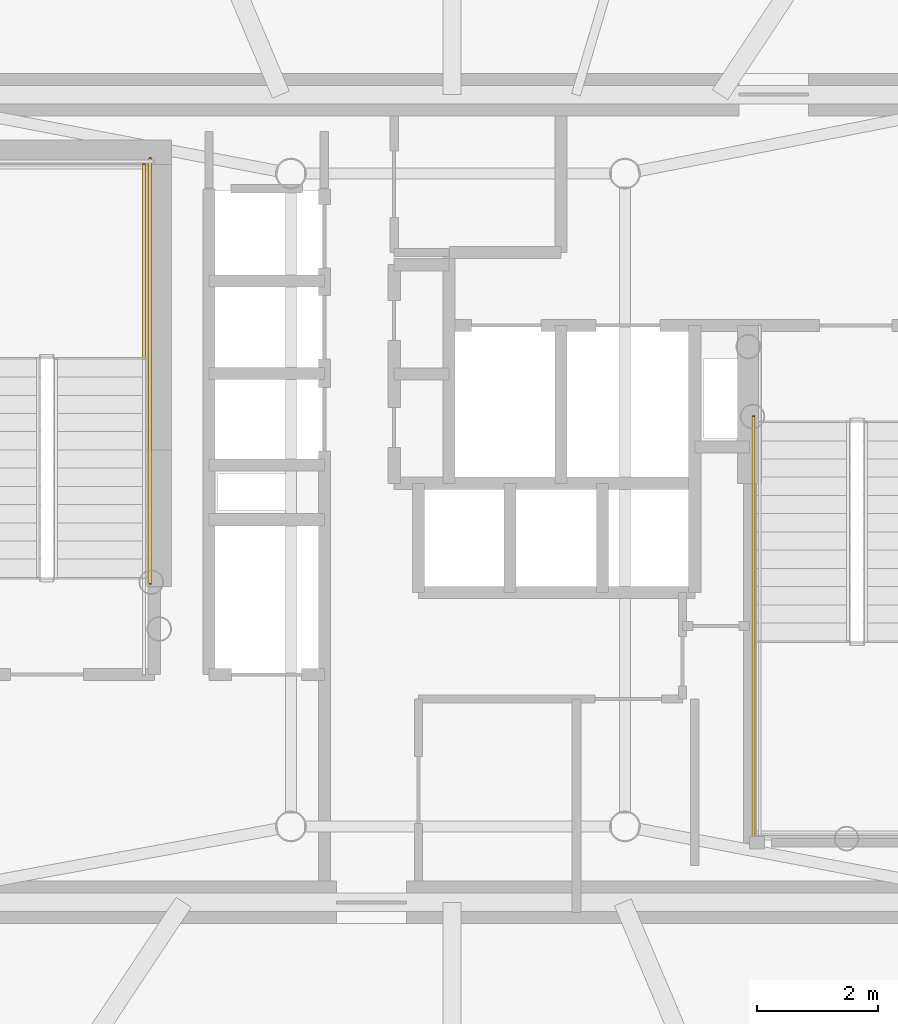
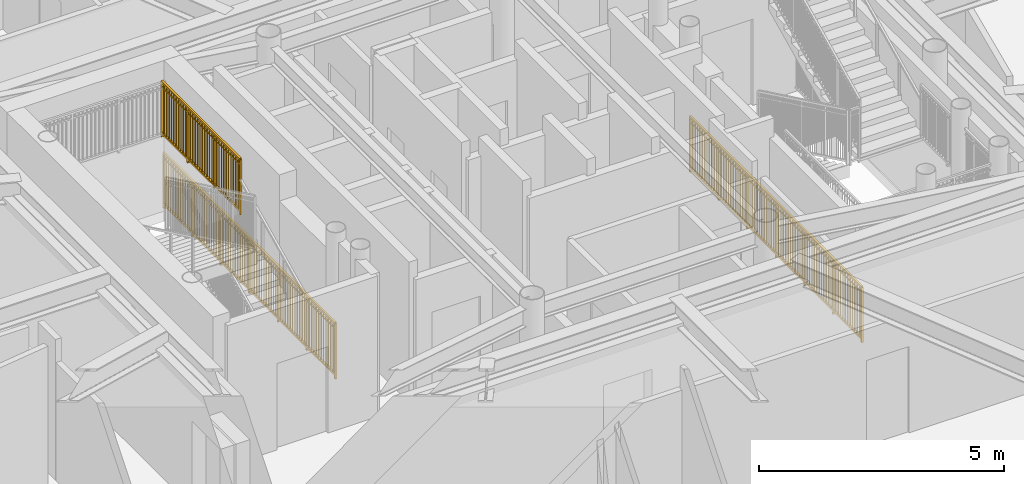
# One storey, part 16 of 19: 3 railings.
"""IFC4 building model written with IfcOpenShell, lengths in metres."""

from ifc_helpers import new_model, si_unit, direction, frame, origin, origin_2d, place, context, subcontext, project, spatial, rectangle, extrude, source, transform, mapped, material, type_object, element, save


model = new_model("IFC4")

# Units and contexts
model_context = context("Model", 3, precision=1e-05, world=origin(), true_north=direction((0.0, 1.0)))
body_context = subcontext(model_context, "Body", "Model", "MODEL_VIEW")
ifc_project = project(units=[si_unit("LENGTHUNIT", "METRE"), si_unit("AREAUNIT", "SQUARE_METRE"), si_unit("VOLUMEUNIT", "CUBIC_METRE"), si_unit("PLANEANGLEUNIT", "RADIAN"), si_unit("MASSUNIT", "GRAM", prefix="KILO")], contexts=[model_context])

# Site, building, storey
site_placement = place(None, origin())
site = spatial("IfcSite", under=ifc_project, at=site_placement, CompositionType="ELEMENT")
building_placement = place(site_placement, origin())
building = spatial("IfcBuilding", under=site, at=building_placement, Name="Linh Dai School and Residence Tower", CompositionType="ELEMENT")
storey_placement = place(building_placement, frame((0.0, 0.0, 236.550048828125)))
storey = spatial("IfcBuildingStorey", under=building, at=storey_placement, Name="L58", CompositionType="ELEMENT", Elevation=236.550048828125)

# Railings
ifc_material = material(Name="Structural Steel S355JR", Category="steel")
railing_type = type_object("IfcRailingType", Name="RL-ST-GUARD-1400", PredefinedType="GUARDRAIL", material=ifc_material)
shared_shape_1 = source(origin(), body_context, "Body", "SweptSolid", [
    extrude(rectangle(XDim=0.048095703125, YDim=0.048095703125, at=origin_2d()), frame((0.0, 0.0, 1.3759765625), z_axis=(0.0, 1.0, 0.0), x_axis=(-1.0, 0.0, 0.0)), (0.0, 0.0, 1.0), 7.0),
    extrude(rectangle(XDim=0.048095703125, YDim=0.048095703125, at=origin_2d()), frame((0.0, 0.0, 0.10009765625), z_axis=(0.0, 1.0, 0.0), x_axis=(-1.0, 0.0, 0.0)), (0.0, 0.0, 1.0), 7.0),
    extrude(rectangle(XDim=0.030029296875, YDim=0.030029296875, at=origin_2d()), frame((0.0, 0.0, 1.239990234375), z_axis=(0.0, 1.0, 0.0), x_axis=(-1.0, 0.0, 0.0)), (0.0, 0.0, 1.0), 7.0),
    extrude(rectangle(XDim=0.02001953125, YDim=0.02001953125, at=origin_2d()), frame((0.0, 0.09716796875, 0.10009765625)), (0.0, 0.0, 1.0), 1.251708984375),
    extrude(rectangle(XDim=0.02001953125, YDim=0.02001953125, at=origin_2d()), frame((0.0, 0.1943359375, 0.10009765625)), (0.0, 0.0, 1.0), 1.251708984375),
    extrude(rectangle(XDim=0.02001953125, YDim=0.02001953125, at=origin_2d()), frame((0.0, 0.291748046875, 0.10009765625)), (0.0, 0.0, 1.0), 1.251708984375),
    extrude(rectangle(XDim=0.02001953125, YDim=0.02001953125, at=origin_2d()), frame((0.0, 0.388916015625, 0.10009765625)), (0.0, 0.0, 1.0), 1.251708984375),
    extrude(rectangle(XDim=0.02001953125, YDim=0.02001953125, at=origin_2d()), frame((0.0, 0.486083984375, 0.10009765625)), (0.0, 0.0, 1.0), 1.251708984375),
    extrude(rectangle(XDim=0.02001953125, YDim=0.02001953125, at=origin_2d()), frame((0.0, 0.583251953125, 0.10009765625)), (0.0, 0.0, 1.0), 1.251708984375),
    extrude(rectangle(XDim=0.02001953125, YDim=0.02001953125, at=origin_2d()), frame((0.0, 0.6806640625, 0.10009765625)), (0.0, 0.0, 1.0), 1.251708984375),
    extrude(rectangle(XDim=0.02001953125, YDim=0.02001953125, at=origin_2d()), frame((0.0, 0.77783203125, 0.10009765625)), (0.0, 0.0, 1.0), 1.251708984375),
    extrude(rectangle(XDim=0.02001953125, YDim=0.02001953125, at=origin_2d()), frame((0.0, 0.875, 0.10009765625)), (0.0, 0.0, 1.0), 1.251708984375),
    extrude(rectangle(XDim=0.02001953125, YDim=0.02001953125, at=origin_2d()), frame((0.0, 0.97216796875, 0.10009765625)), (0.0, 0.0, 1.0), 1.251708984375),
    extrude(rectangle(XDim=0.02001953125, YDim=0.02001953125, at=origin_2d()), frame((0.0, 1.0693359375, 0.10009765625)), (0.0, 0.0, 1.0), 1.251708984375),
    extrude(rectangle(XDim=0.02001953125, YDim=0.02001953125, at=origin_2d()), frame((0.0, 1.263916015625, 0.10009765625)), (0.0, 0.0, 1.0), 1.251708984375),
    extrude(rectangle(XDim=0.02001953125, YDim=0.02001953125, at=origin_2d()), frame((0.0, 1.361083984375, 0.10009765625)), (0.0, 0.0, 1.0), 1.251708984375),
    extrude(rectangle(XDim=0.02001953125, YDim=0.02001953125, at=origin_2d()), frame((0.0, 1.458251953125, 0.10009765625)), (0.0, 0.0, 1.0), 1.251708984375),
    extrude(rectangle(XDim=0.02001953125, YDim=0.02001953125, at=origin_2d()), frame((0.0, 1.5556640625, 0.10009765625)), (0.0, 0.0, 1.0), 1.251708984375),
    extrude(rectangle(XDim=0.02001953125, YDim=0.02001953125, at=origin_2d()), frame((0.0, 1.65283203125, 0.10009765625)), (0.0, 0.0, 1.0), 1.251708984375),
    extrude(rectangle(XDim=0.02001953125, YDim=0.02001953125, at=origin_2d()), frame((0.0, 1.75, 0.10009765625)), (0.0, 0.0, 1.0), 1.251708984375),
    extrude(rectangle(XDim=0.02001953125, YDim=0.02001953125, at=origin_2d()), frame((0.0, 1.84716796875, 0.10009765625)), (0.0, 0.0, 1.0), 1.251708984375),
    extrude(rectangle(XDim=0.02001953125, YDim=0.02001953125, at=origin_2d()), frame((0.0, 1.9443359375, 0.10009765625)), (0.0, 0.0, 1.0), 1.251708984375),
    extrude(rectangle(XDim=0.02001953125, YDim=0.02001953125, at=origin_2d()), frame((0.0, 2.041748046875, 0.10009765625)), (0.0, 0.0, 1.0), 1.251708984375),
    extrude(rectangle(XDim=0.02001953125, YDim=0.02001953125, at=origin_2d()), frame((0.0, 2.138916015625, 0.10009765625)), (0.0, 0.0, 1.0), 1.251708984375),
    extrude(rectangle(XDim=0.02001953125, YDim=0.02001953125, at=origin_2d()), frame((0.0, 2.236083984375, 0.10009765625)), (0.0, 0.0, 1.0), 1.251708984375),
    extrude(rectangle(XDim=0.02001953125, YDim=0.02001953125, at=origin_2d()), frame((0.0, 2.4306640625, 0.10009765625)), (0.0, 0.0, 1.0), 1.251708984375),
    extrude(rectangle(XDim=0.02001953125, YDim=0.02001953125, at=origin_2d()), frame((0.0, 2.52783203125, 0.10009765625)), (0.0, 0.0, 1.0), 1.251708984375),
    extrude(rectangle(XDim=0.02001953125, YDim=0.02001953125, at=origin_2d()), frame((0.0, 2.625, 0.10009765625)), (0.0, 0.0, 1.0), 1.251708984375),
    extrude(rectangle(XDim=0.02001953125, YDim=0.02001953125, at=origin_2d()), frame((0.0, 2.72216796875, 0.10009765625)), (0.0, 0.0, 1.0), 1.251708984375),
    extrude(rectangle(XDim=0.02001953125, YDim=0.02001953125, at=origin_2d()), frame((0.0, 2.8193359375, 0.10009765625)), (0.0, 0.0, 1.0), 1.251708984375),
    extrude(rectangle(XDim=0.02001953125, YDim=0.02001953125, at=origin_2d()), frame((0.0, 2.916748046875, 0.10009765625)), (0.0, 0.0, 1.0), 1.251708984375),
    extrude(rectangle(XDim=0.02001953125, YDim=0.02001953125, at=origin_2d()), frame((0.0, 3.013916015625, 0.10009765625)), (0.0, 0.0, 1.0), 1.251708984375),
    extrude(rectangle(XDim=0.02001953125, YDim=0.02001953125, at=origin_2d()), frame((0.0, 3.111083984375, 0.10009765625)), (0.0, 0.0, 1.0), 1.251708984375),
    extrude(rectangle(XDim=0.02001953125, YDim=0.02001953125, at=origin_2d()), frame((0.0, 3.208251953125, 0.10009765625)), (0.0, 0.0, 1.0), 1.251708984375),
    extrude(rectangle(XDim=0.02001953125, YDim=0.02001953125, at=origin_2d()), frame((0.0, 3.3056640625, 0.10009765625)), (0.0, 0.0, 1.0), 1.251708984375),
    extrude(rectangle(XDim=0.02001953125, YDim=0.02001953125, at=origin_2d()), frame((0.0, 3.40283203125, 0.10009765625)), (0.0, 0.0, 1.0), 1.251708984375),
    extrude(rectangle(XDim=0.02001953125, YDim=0.02001953125, at=origin_2d()), frame((0.0, 3.59716796875, 0.10009765625)), (0.0, 0.0, 1.0), 1.251708984375),
    extrude(rectangle(XDim=0.02001953125, YDim=0.02001953125, at=origin_2d()), frame((0.0, 3.6943359375, 0.10009765625)), (0.0, 0.0, 1.0), 1.251708984375),
    extrude(rectangle(XDim=0.02001953125, YDim=0.02001953125, at=origin_2d()), frame((0.0, 3.791748046875, 0.10009765625)), (0.0, 0.0, 1.0), 1.251708984375),
    extrude(rectangle(XDim=0.02001953125, YDim=0.02001953125, at=origin_2d()), frame((0.0, 3.888916015625, 0.10009765625)), (0.0, 0.0, 1.0), 1.251708984375),
    extrude(rectangle(XDim=0.02001953125, YDim=0.02001953125, at=origin_2d()), frame((0.0, 3.986083984375, 0.10009765625)), (0.0, 0.0, 1.0), 1.251708984375),
    extrude(rectangle(XDim=0.02001953125, YDim=0.02001953125, at=origin_2d()), frame((0.0, 4.083251953125, 0.10009765625)), (0.0, 0.0, 1.0), 1.251708984375),
    extrude(rectangle(XDim=0.02001953125, YDim=0.02001953125, at=origin_2d()), frame((0.0, 4.1806640625, 0.10009765625)), (0.0, 0.0, 1.0), 1.251708984375),
    extrude(rectangle(XDim=0.02001953125, YDim=0.02001953125, at=origin_2d()), frame((0.0, 4.27783203125, 0.10009765625)), (0.0, 0.0, 1.0), 1.251708984375),
    extrude(rectangle(XDim=0.02001953125, YDim=0.02001953125, at=origin_2d()), frame((0.0, 4.375, 0.10009765625)), (0.0, 0.0, 1.0), 1.251708984375),
    extrude(rectangle(XDim=0.02001953125, YDim=0.02001953125, at=origin_2d()), frame((0.0, 4.47216796875, 0.10009765625)), (0.0, 0.0, 1.0), 1.251708984375),
    extrude(rectangle(XDim=0.02001953125, YDim=0.02001953125, at=origin_2d()), frame((0.0, 4.5693359375, 0.10009765625)), (0.0, 0.0, 1.0), 1.251708984375),
    extrude(rectangle(XDim=0.02001953125, YDim=0.02001953125, at=origin_2d()), frame((0.0, 4.763916015625, 0.10009765625)), (0.0, 0.0, 1.0), 1.251708984375),
    extrude(rectangle(XDim=0.02001953125, YDim=0.02001953125, at=origin_2d()), frame((0.0, 4.861083984375, 0.10009765625)), (0.0, 0.0, 1.0), 1.251708984375),
    extrude(rectangle(XDim=0.02001953125, YDim=0.02001953125, at=origin_2d()), frame((0.0, 4.958251953125, 0.10009765625)), (0.0, 0.0, 1.0), 1.251708984375),
    extrude(rectangle(XDim=0.02001953125, YDim=0.02001953125, at=origin_2d()), frame((0.0, 5.0556640625, 0.10009765625)), (0.0, 0.0, 1.0), 1.251708984375),
    extrude(rectangle(XDim=0.02001953125, YDim=0.02001953125, at=origin_2d()), frame((0.0, 5.15283203125, 0.10009765625)), (0.0, 0.0, 1.0), 1.251708984375),
    extrude(rectangle(XDim=0.02001953125, YDim=0.02001953125, at=origin_2d()), frame((0.0, 5.25, 0.10009765625)), (0.0, 0.0, 1.0), 1.251708984375),
    extrude(rectangle(XDim=0.02001953125, YDim=0.02001953125, at=origin_2d()), frame((0.0, 5.34716796875, 0.10009765625)), (0.0, 0.0, 1.0), 1.251708984375),
    extrude(rectangle(XDim=0.02001953125, YDim=0.02001953125, at=origin_2d()), frame((0.0, 5.4443359375, 0.10009765625)), (0.0, 0.0, 1.0), 1.251708984375),
    extrude(rectangle(XDim=0.02001953125, YDim=0.02001953125, at=origin_2d()), frame((0.0, 5.541748046875, 0.10009765625)), (0.0, 0.0, 1.0), 1.251708984375),
    extrude(rectangle(XDim=0.02001953125, YDim=0.02001953125, at=origin_2d()), frame((0.0, 5.638916015625, 0.10009765625)), (0.0, 0.0, 1.0), 1.251708984375),
    extrude(rectangle(XDim=0.02001953125, YDim=0.02001953125, at=origin_2d()), frame((0.0, 5.736083984375, 0.10009765625)), (0.0, 0.0, 1.0), 1.251708984375),
    extrude(rectangle(XDim=0.02001953125, YDim=0.02001953125, at=origin_2d()), frame((0.0, 5.9306640625, 0.10009765625)), (0.0, 0.0, 1.0), 1.251708984375),
    extrude(rectangle(XDim=0.02001953125, YDim=0.02001953125, at=origin_2d()), frame((0.0, 6.02783203125, 0.10009765625)), (0.0, 0.0, 1.0), 1.251708984375),
    extrude(rectangle(XDim=0.02001953125, YDim=0.02001953125, at=origin_2d()), frame((0.0, 6.125, 0.10009765625)), (0.0, 0.0, 1.0), 1.251708984375),
    extrude(rectangle(XDim=0.02001953125, YDim=0.02001953125, at=origin_2d()), frame((0.0, 6.22216796875, 0.10009765625)), (0.0, 0.0, 1.0), 1.251708984375),
    extrude(rectangle(XDim=0.02001953125, YDim=0.02001953125, at=origin_2d()), frame((0.0, 6.3193359375, 0.10009765625)), (0.0, 0.0, 1.0), 1.251708984375),
    extrude(rectangle(XDim=0.02001953125, YDim=0.02001953125, at=origin_2d()), frame((0.0, 6.416748046875, 0.10009765625)), (0.0, 0.0, 1.0), 1.251708984375),
    extrude(rectangle(XDim=0.02001953125, YDim=0.02001953125, at=origin_2d()), frame((0.0, 6.513916015625, 0.10009765625)), (0.0, 0.0, 1.0), 1.251708984375),
    extrude(rectangle(XDim=0.02001953125, YDim=0.02001953125, at=origin_2d()), frame((0.0, 6.611083984375, 0.10009765625)), (0.0, 0.0, 1.0), 1.251708984375),
    extrude(rectangle(XDim=0.02001953125, YDim=0.02001953125, at=origin_2d()), frame((0.0, 6.708251953125, 0.10009765625)), (0.0, 0.0, 1.0), 1.251708984375),
    extrude(rectangle(XDim=0.02001953125, YDim=0.02001953125, at=origin_2d()), frame((0.0, 6.8056640625, 0.10009765625)), (0.0, 0.0, 1.0), 1.251708984375),
    extrude(rectangle(XDim=0.02001953125, YDim=0.02001953125, at=origin_2d()), frame((0.0, 6.90283203125, 0.10009765625)), (0.0, 0.0, 1.0), 1.251708984375),
    extrude(rectangle(XDim=0.0419921875, YDim=0.0419921875, at=origin_2d()), origin(), (0.0, 0.0, 1.0), 1.3759765625),
    extrude(rectangle(XDim=0.0419921875, YDim=0.0419921875, at=origin_2d()), frame((0.0, 1.166748046875, 0.0)), (0.0, 0.0, 1.0), 1.3759765625),
    extrude(rectangle(XDim=0.0419921875, YDim=0.0419921875, at=origin_2d()), frame((0.0, 2.333251953125, 0.0)), (0.0, 0.0, 1.0), 1.3759765625),
    extrude(rectangle(XDim=0.0419921875, YDim=0.0419921875, at=origin_2d()), frame((0.0, 3.5, 0.0)), (0.0, 0.0, 1.0), 1.3759765625),
    extrude(rectangle(XDim=0.0419921875, YDim=0.0419921875, at=origin_2d()), frame((0.0, 4.666748046875, 0.0)), (0.0, 0.0, 1.0), 1.3759765625),
    extrude(rectangle(XDim=0.0419921875, YDim=0.0419921875, at=origin_2d()), frame((0.0, 5.833251953125, 0.0)), (0.0, 0.0, 1.0), 1.3759765625),
    extrude(rectangle(XDim=0.0419921875, YDim=0.0419921875, at=origin_2d()), frame((0.0, 7.0, 0.0)), (0.0, 0.0, 1.0), 1.3759765625),
])
railing_1_placement = place(storey_placement, frame((31.030029296875, 25.60009765625, 0.0)))
element("IfcRailing", 1, at=railing_1_placement, inside=storey, type_object=railing_type, Name="L58 ST1 stair guard 10", PredefinedType="GUARDRAIL", context=body_context, shape_type="MappedRepresentation", body=[
    mapped(shared_shape_1, transform((0.0, 0.0, 0.0), x_axis=(1.0, 0.0, 0.0), y_axis=(0.0, 1.0, 0.0), z_axis=(0.0, 0.0, 1.0), scale=1.0)),
])
shared_shape_2 = source(origin(), body_context, "Body", "SweptSolid", [
    extrude(rectangle(XDim=0.048095703125, YDim=0.048095703125, at=origin_2d()), frame((0.0, 0.0, 1.3759765625), z_axis=(0.0, 1.0, 0.0), x_axis=(-1.0, 0.0, 0.0)), (0.0, 0.0, 1.0), 3.199951171875),
    extrude(rectangle(XDim=0.048095703125, YDim=0.048095703125, at=origin_2d()), frame((0.0, 0.0, 0.10009765625), z_axis=(0.0, 1.0, 0.0), x_axis=(-1.0, 0.0, 0.0)), (0.0, 0.0, 1.0), 3.199951171875),
    extrude(rectangle(XDim=0.030029296875, YDim=0.030029296875, at=origin_2d()), frame((0.0, 0.0, 1.239990234375), z_axis=(0.0, 1.0, 0.0), x_axis=(-1.0, 0.0, 0.0)), (0.0, 0.0, 1.0), 3.199951171875),
    extrude(rectangle(XDim=0.02001953125, YDim=0.02001953125, at=origin_2d()), frame((0.0, 0.096923828125, 0.10009765625)), (0.0, 0.0, 1.0), 1.251708984375),
    extrude(rectangle(XDim=0.02001953125, YDim=0.02001953125, at=origin_2d()), frame((0.0, 0.19384765625, 0.10009765625)), (0.0, 0.0, 1.0), 1.251708984375),
    extrude(rectangle(XDim=0.02001953125, YDim=0.02001953125, at=origin_2d()), frame((0.0, 0.291015625, 0.10009765625)), (0.0, 0.0, 1.0), 1.251708984375),
    extrude(rectangle(XDim=0.02001953125, YDim=0.02001953125, at=origin_2d()), frame((0.0, 0.387939453125, 0.10009765625)), (0.0, 0.0, 1.0), 1.251708984375),
    extrude(rectangle(XDim=0.02001953125, YDim=0.02001953125, at=origin_2d()), frame((0.0, 0.48486328125, 0.10009765625)), (0.0, 0.0, 1.0), 1.251708984375),
    extrude(rectangle(XDim=0.02001953125, YDim=0.02001953125, at=origin_2d()), frame((0.0, 0.581787109375, 0.10009765625)), (0.0, 0.0, 1.0), 1.251708984375),
    extrude(rectangle(XDim=0.02001953125, YDim=0.02001953125, at=origin_2d()), frame((0.0, 0.6787109375, 0.10009765625)), (0.0, 0.0, 1.0), 1.251708984375),
    extrude(rectangle(XDim=0.02001953125, YDim=0.02001953125, at=origin_2d()), frame((0.0, 0.775634765625, 0.10009765625)), (0.0, 0.0, 1.0), 1.251708984375),
    extrude(rectangle(XDim=0.02001953125, YDim=0.02001953125, at=origin_2d()), frame((0.0, 0.872802734375, 0.10009765625)), (0.0, 0.0, 1.0), 1.251708984375),
    extrude(rectangle(XDim=0.02001953125, YDim=0.02001953125, at=origin_2d()), frame((0.0, 0.9697265625, 0.10009765625)), (0.0, 0.0, 1.0), 1.251708984375),
    extrude(rectangle(XDim=0.02001953125, YDim=0.02001953125, at=origin_2d()), frame((0.0, 1.16357421875, 0.10009765625)), (0.0, 0.0, 1.0), 1.251708984375),
    extrude(rectangle(XDim=0.02001953125, YDim=0.02001953125, at=origin_2d()), frame((0.0, 1.260498046875, 0.10009765625)), (0.0, 0.0, 1.0), 1.251708984375),
    extrude(rectangle(XDim=0.02001953125, YDim=0.02001953125, at=origin_2d()), frame((0.0, 1.357666015625, 0.10009765625)), (0.0, 0.0, 1.0), 1.251708984375),
    extrude(rectangle(XDim=0.02001953125, YDim=0.02001953125, at=origin_2d()), frame((0.0, 1.45458984375, 0.10009765625)), (0.0, 0.0, 1.0), 1.251708984375),
    extrude(rectangle(XDim=0.02001953125, YDim=0.02001953125, at=origin_2d()), frame((0.0, 1.551513671875, 0.10009765625)), (0.0, 0.0, 1.0), 1.251708984375),
    extrude(rectangle(XDim=0.02001953125, YDim=0.02001953125, at=origin_2d()), frame((0.0, 1.6484375, 0.10009765625)), (0.0, 0.0, 1.0), 1.251708984375),
    extrude(rectangle(XDim=0.02001953125, YDim=0.02001953125, at=origin_2d()), frame((0.0, 1.745361328125, 0.10009765625)), (0.0, 0.0, 1.0), 1.251708984375),
    extrude(rectangle(XDim=0.02001953125, YDim=0.02001953125, at=origin_2d()), frame((0.0, 1.84228515625, 0.10009765625)), (0.0, 0.0, 1.0), 1.251708984375),
    extrude(rectangle(XDim=0.02001953125, YDim=0.02001953125, at=origin_2d()), frame((0.0, 1.939453125, 0.10009765625)), (0.0, 0.0, 1.0), 1.251708984375),
    extrude(rectangle(XDim=0.02001953125, YDim=0.02001953125, at=origin_2d()), frame((0.0, 2.036376953125, 0.10009765625)), (0.0, 0.0, 1.0), 1.251708984375),
    extrude(rectangle(XDim=0.02001953125, YDim=0.02001953125, at=origin_2d()), frame((0.0, 2.230224609375, 0.10009765625)), (0.0, 0.0, 1.0), 1.251708984375),
    extrude(rectangle(XDim=0.02001953125, YDim=0.02001953125, at=origin_2d()), frame((0.0, 2.3271484375, 0.10009765625)), (0.0, 0.0, 1.0), 1.251708984375),
    extrude(rectangle(XDim=0.02001953125, YDim=0.02001953125, at=origin_2d()), frame((0.0, 2.42431640625, 0.10009765625)), (0.0, 0.0, 1.0), 1.251708984375),
    extrude(rectangle(XDim=0.02001953125, YDim=0.02001953125, at=origin_2d()), frame((0.0, 2.521240234375, 0.10009765625)), (0.0, 0.0, 1.0), 1.251708984375),
    extrude(rectangle(XDim=0.02001953125, YDim=0.02001953125, at=origin_2d()), frame((0.0, 2.6181640625, 0.10009765625)), (0.0, 0.0, 1.0), 1.251708984375),
    extrude(rectangle(XDim=0.02001953125, YDim=0.02001953125, at=origin_2d()), frame((0.0, 2.715087890625, 0.10009765625)), (0.0, 0.0, 1.0), 1.251708984375),
    extrude(rectangle(XDim=0.02001953125, YDim=0.02001953125, at=origin_2d()), frame((0.0, 2.81201171875, 0.10009765625)), (0.0, 0.0, 1.0), 1.251708984375),
    extrude(rectangle(XDim=0.02001953125, YDim=0.02001953125, at=origin_2d()), frame((0.0, 2.908935546875, 0.10009765625)), (0.0, 0.0, 1.0), 1.251708984375),
    extrude(rectangle(XDim=0.02001953125, YDim=0.02001953125, at=origin_2d()), frame((0.0, 3.006103515625, 0.10009765625)), (0.0, 0.0, 1.0), 1.251708984375),
    extrude(rectangle(XDim=0.02001953125, YDim=0.02001953125, at=origin_2d()), frame((0.0, 3.10302734375, 0.10009765625)), (0.0, 0.0, 1.0), 1.251708984375),
    extrude(rectangle(XDim=0.0419921875, YDim=0.0419921875, at=origin_2d()), origin(), (0.0, 0.0, 1.0), 1.3759765625),
    extrude(rectangle(XDim=0.0419921875, YDim=0.0419921875, at=origin_2d()), frame((0.0, 1.066650390625, 0.0)), (0.0, 0.0, 1.0), 1.3759765625),
    extrude(rectangle(XDim=0.0419921875, YDim=0.0419921875, at=origin_2d()), frame((0.0, 2.13330078125, 0.0)), (0.0, 0.0, 1.0), 1.3759765625),
    extrude(rectangle(XDim=0.0419921875, YDim=0.0419921875, at=origin_2d()), frame((0.0, 3.199951171875, 0.0)), (0.0, 0.0, 1.0), 1.3759765625),
])
railing_2_placement = place(storey_placement, frame((30.929931640625, 29.300048828125, 1.875)))
element("IfcRailing", 2, at=railing_2_placement, inside=storey, type_object=railing_type, Name="L58 ST1 stair guard 3", PredefinedType="GUARDRAIL", context=body_context, shape_type="MappedRepresentation", body=[
    mapped(shared_shape_2, transform((0.0, 0.0, 0.0), x_axis=(1.0, 0.0, 0.0), y_axis=(0.0, 1.0, 0.0), z_axis=(0.0, 0.0, 1.0), scale=1.0)),
])
shared_shape_3 = source(origin(), body_context, "Body", "SweptSolid", [
    extrude(rectangle(XDim=0.048095703125, YDim=0.048095703125, at=origin_2d()), frame((0.0, 0.0, 1.3759765625), z_axis=(0.0, -1.0, 0.0), x_axis=(1.0, 0.0, 0.0)), (0.0, 0.0, 1.0), 7.0),
    extrude(rectangle(XDim=0.048095703125, YDim=0.048095703125, at=origin_2d()), frame((0.0, 0.0, 0.10009765625), z_axis=(0.0, -1.0, 0.0), x_axis=(1.0, 0.0, 0.0)), (0.0, 0.0, 1.0), 7.0),
    extrude(rectangle(XDim=0.030029296875, YDim=0.030029296875, at=origin_2d()), frame((0.0, 0.0, 1.239990234375), z_axis=(0.0, -1.0, 0.0), x_axis=(1.0, 0.0, 0.0)), (0.0, 0.0, 1.0), 7.0),
    extrude(rectangle(XDim=0.02001953125, YDim=0.02001953125, at=origin_2d()), frame((0.0, -0.09716796875, 0.10009765625)), (0.0, 0.0, 1.0), 1.251708984375),
    extrude(rectangle(XDim=0.02001953125, YDim=0.02001953125, at=origin_2d()), frame((0.0, -0.1943359375, 0.10009765625)), (0.0, 0.0, 1.0), 1.251708984375),
    extrude(rectangle(XDim=0.02001953125, YDim=0.02001953125, at=origin_2d()), frame((0.0, -0.291748046875, 0.10009765625)), (0.0, 0.0, 1.0), 1.251708984375),
    extrude(rectangle(XDim=0.02001953125, YDim=0.02001953125, at=origin_2d()), frame((0.0, -0.388916015625, 0.10009765625)), (0.0, 0.0, 1.0), 1.251708984375),
    extrude(rectangle(XDim=0.02001953125, YDim=0.02001953125, at=origin_2d()), frame((0.0, -0.486083984375, 0.10009765625)), (0.0, 0.0, 1.0), 1.251708984375),
    extrude(rectangle(XDim=0.02001953125, YDim=0.02001953125, at=origin_2d()), frame((0.0, -0.583251953125, 0.10009765625)), (0.0, 0.0, 1.0), 1.251708984375),
    extrude(rectangle(XDim=0.02001953125, YDim=0.02001953125, at=origin_2d()), frame((0.0, -0.6806640625, 0.10009765625)), (0.0, 0.0, 1.0), 1.251708984375),
    extrude(rectangle(XDim=0.02001953125, YDim=0.02001953125, at=origin_2d()), frame((0.0, -0.77783203125, 0.10009765625)), (0.0, 0.0, 1.0), 1.251708984375),
    extrude(rectangle(XDim=0.02001953125, YDim=0.02001953125, at=origin_2d()), frame((0.0, -0.875, 0.10009765625)), (0.0, 0.0, 1.0), 1.251708984375),
    extrude(rectangle(XDim=0.02001953125, YDim=0.02001953125, at=origin_2d()), frame((0.0, -0.97216796875, 0.10009765625)), (0.0, 0.0, 1.0), 1.251708984375),
    extrude(rectangle(XDim=0.02001953125, YDim=0.02001953125, at=origin_2d()), frame((0.0, -1.0693359375, 0.10009765625)), (0.0, 0.0, 1.0), 1.251708984375),
    extrude(rectangle(XDim=0.02001953125, YDim=0.02001953125, at=origin_2d()), frame((0.0, -1.263916015625, 0.10009765625)), (0.0, 0.0, 1.0), 1.251708984375),
    extrude(rectangle(XDim=0.02001953125, YDim=0.02001953125, at=origin_2d()), frame((0.0, -1.361083984375, 0.10009765625)), (0.0, 0.0, 1.0), 1.251708984375),
    extrude(rectangle(XDim=0.02001953125, YDim=0.02001953125, at=origin_2d()), frame((0.0, -1.458251953125, 0.10009765625)), (0.0, 0.0, 1.0), 1.251708984375),
    extrude(rectangle(XDim=0.02001953125, YDim=0.02001953125, at=origin_2d()), frame((0.0, -1.5556640625, 0.10009765625)), (0.0, 0.0, 1.0), 1.251708984375),
    extrude(rectangle(XDim=0.02001953125, YDim=0.02001953125, at=origin_2d()), frame((0.0, -1.65283203125, 0.10009765625)), (0.0, 0.0, 1.0), 1.251708984375),
    extrude(rectangle(XDim=0.02001953125, YDim=0.02001953125, at=origin_2d()), frame((0.0, -1.75, 0.10009765625)), (0.0, 0.0, 1.0), 1.251708984375),
    extrude(rectangle(XDim=0.02001953125, YDim=0.02001953125, at=origin_2d()), frame((0.0, -1.84716796875, 0.10009765625)), (0.0, 0.0, 1.0), 1.251708984375),
    extrude(rectangle(XDim=0.02001953125, YDim=0.02001953125, at=origin_2d()), frame((0.0, -1.9443359375, 0.10009765625)), (0.0, 0.0, 1.0), 1.251708984375),
    extrude(rectangle(XDim=0.02001953125, YDim=0.02001953125, at=origin_2d()), frame((0.0, -2.041748046875, 0.10009765625)), (0.0, 0.0, 1.0), 1.251708984375),
    extrude(rectangle(XDim=0.02001953125, YDim=0.02001953125, at=origin_2d()), frame((0.0, -2.138916015625, 0.10009765625)), (0.0, 0.0, 1.0), 1.251708984375),
    extrude(rectangle(XDim=0.02001953125, YDim=0.02001953125, at=origin_2d()), frame((0.0, -2.236083984375, 0.10009765625)), (0.0, 0.0, 1.0), 1.251708984375),
    extrude(rectangle(XDim=0.02001953125, YDim=0.02001953125, at=origin_2d()), frame((0.0, -2.4306640625, 0.10009765625)), (0.0, 0.0, 1.0), 1.251708984375),
    extrude(rectangle(XDim=0.02001953125, YDim=0.02001953125, at=origin_2d()), frame((0.0, -2.52783203125, 0.10009765625)), (0.0, 0.0, 1.0), 1.251708984375),
    extrude(rectangle(XDim=0.02001953125, YDim=0.02001953125, at=origin_2d()), frame((0.0, -2.625, 0.10009765625)), (0.0, 0.0, 1.0), 1.251708984375),
    extrude(rectangle(XDim=0.02001953125, YDim=0.02001953125, at=origin_2d()), frame((0.0, -2.72216796875, 0.10009765625)), (0.0, 0.0, 1.0), 1.251708984375),
    extrude(rectangle(XDim=0.02001953125, YDim=0.02001953125, at=origin_2d()), frame((0.0, -2.8193359375, 0.10009765625)), (0.0, 0.0, 1.0), 1.251708984375),
    extrude(rectangle(XDim=0.02001953125, YDim=0.02001953125, at=origin_2d()), frame((0.0, -2.916748046875, 0.10009765625)), (0.0, 0.0, 1.0), 1.251708984375),
    extrude(rectangle(XDim=0.02001953125, YDim=0.02001953125, at=origin_2d()), frame((0.0, -3.013916015625, 0.10009765625)), (0.0, 0.0, 1.0), 1.251708984375),
    extrude(rectangle(XDim=0.02001953125, YDim=0.02001953125, at=origin_2d()), frame((0.0, -3.111083984375, 0.10009765625)), (0.0, 0.0, 1.0), 1.251708984375),
    extrude(rectangle(XDim=0.02001953125, YDim=0.02001953125, at=origin_2d()), frame((0.0, -3.208251953125, 0.10009765625)), (0.0, 0.0, 1.0), 1.251708984375),
    extrude(rectangle(XDim=0.02001953125, YDim=0.02001953125, at=origin_2d()), frame((0.0, -3.3056640625, 0.10009765625)), (0.0, 0.0, 1.0), 1.251708984375),
    extrude(rectangle(XDim=0.02001953125, YDim=0.02001953125, at=origin_2d()), frame((0.0, -3.40283203125, 0.10009765625)), (0.0, 0.0, 1.0), 1.251708984375),
    extrude(rectangle(XDim=0.02001953125, YDim=0.02001953125, at=origin_2d()), frame((0.0, -3.59716796875, 0.10009765625)), (0.0, 0.0, 1.0), 1.251708984375),
    extrude(rectangle(XDim=0.02001953125, YDim=0.02001953125, at=origin_2d()), frame((0.0, -3.6943359375, 0.10009765625)), (0.0, 0.0, 1.0), 1.251708984375),
    extrude(rectangle(XDim=0.02001953125, YDim=0.02001953125, at=origin_2d()), frame((0.0, -3.791748046875, 0.10009765625)), (0.0, 0.0, 1.0), 1.251708984375),
    extrude(rectangle(XDim=0.02001953125, YDim=0.02001953125, at=origin_2d()), frame((0.0, -3.888916015625, 0.10009765625)), (0.0, 0.0, 1.0), 1.251708984375),
    extrude(rectangle(XDim=0.02001953125, YDim=0.02001953125, at=origin_2d()), frame((0.0, -3.986083984375, 0.10009765625)), (0.0, 0.0, 1.0), 1.251708984375),
    extrude(rectangle(XDim=0.02001953125, YDim=0.02001953125, at=origin_2d()), frame((0.0, -4.083251953125, 0.10009765625)), (0.0, 0.0, 1.0), 1.251708984375),
    extrude(rectangle(XDim=0.02001953125, YDim=0.02001953125, at=origin_2d()), frame((0.0, -4.1806640625, 0.10009765625)), (0.0, 0.0, 1.0), 1.251708984375),
    extrude(rectangle(XDim=0.02001953125, YDim=0.02001953125, at=origin_2d()), frame((0.0, -4.27783203125, 0.10009765625)), (0.0, 0.0, 1.0), 1.251708984375),
    extrude(rectangle(XDim=0.02001953125, YDim=0.02001953125, at=origin_2d()), frame((0.0, -4.375, 0.10009765625)), (0.0, 0.0, 1.0), 1.251708984375),
    extrude(rectangle(XDim=0.02001953125, YDim=0.02001953125, at=origin_2d()), frame((0.0, -4.47216796875, 0.10009765625)), (0.0, 0.0, 1.0), 1.251708984375),
    extrude(rectangle(XDim=0.02001953125, YDim=0.02001953125, at=origin_2d()), frame((0.0, -4.5693359375, 0.10009765625)), (0.0, 0.0, 1.0), 1.251708984375),
    extrude(rectangle(XDim=0.02001953125, YDim=0.02001953125, at=origin_2d()), frame((0.0, -4.763916015625, 0.10009765625)), (0.0, 0.0, 1.0), 1.251708984375),
    extrude(rectangle(XDim=0.02001953125, YDim=0.02001953125, at=origin_2d()), frame((0.0, -4.861083984375, 0.10009765625)), (0.0, 0.0, 1.0), 1.251708984375),
    extrude(rectangle(XDim=0.02001953125, YDim=0.02001953125, at=origin_2d()), frame((0.0, -4.958251953125, 0.10009765625)), (0.0, 0.0, 1.0), 1.251708984375),
    extrude(rectangle(XDim=0.02001953125, YDim=0.02001953125, at=origin_2d()), frame((0.0, -5.0556640625, 0.10009765625)), (0.0, 0.0, 1.0), 1.251708984375),
    extrude(rectangle(XDim=0.02001953125, YDim=0.02001953125, at=origin_2d()), frame((0.0, -5.15283203125, 0.10009765625)), (0.0, 0.0, 1.0), 1.251708984375),
    extrude(rectangle(XDim=0.02001953125, YDim=0.02001953125, at=origin_2d()), frame((0.0, -5.25, 0.10009765625)), (0.0, 0.0, 1.0), 1.251708984375),
    extrude(rectangle(XDim=0.02001953125, YDim=0.02001953125, at=origin_2d()), frame((0.0, -5.34716796875, 0.10009765625)), (0.0, 0.0, 1.0), 1.251708984375),
    extrude(rectangle(XDim=0.02001953125, YDim=0.02001953125, at=origin_2d()), frame((0.0, -5.4443359375, 0.10009765625)), (0.0, 0.0, 1.0), 1.251708984375),
    extrude(rectangle(XDim=0.02001953125, YDim=0.02001953125, at=origin_2d()), frame((0.0, -5.541748046875, 0.10009765625)), (0.0, 0.0, 1.0), 1.251708984375),
    extrude(rectangle(XDim=0.02001953125, YDim=0.02001953125, at=origin_2d()), frame((0.0, -5.638916015625, 0.10009765625)), (0.0, 0.0, 1.0), 1.251708984375),
    extrude(rectangle(XDim=0.02001953125, YDim=0.02001953125, at=origin_2d()), frame((0.0, -5.736083984375, 0.10009765625)), (0.0, 0.0, 1.0), 1.251708984375),
    extrude(rectangle(XDim=0.02001953125, YDim=0.02001953125, at=origin_2d()), frame((0.0, -5.9306640625, 0.10009765625)), (0.0, 0.0, 1.0), 1.251708984375),
    extrude(rectangle(XDim=0.02001953125, YDim=0.02001953125, at=origin_2d()), frame((0.0, -6.02783203125, 0.10009765625)), (0.0, 0.0, 1.0), 1.251708984375),
    extrude(rectangle(XDim=0.02001953125, YDim=0.02001953125, at=origin_2d()), frame((0.0, -6.125, 0.10009765625)), (0.0, 0.0, 1.0), 1.251708984375),
    extrude(rectangle(XDim=0.02001953125, YDim=0.02001953125, at=origin_2d()), frame((0.0, -6.22216796875, 0.10009765625)), (0.0, 0.0, 1.0), 1.251708984375),
    extrude(rectangle(XDim=0.02001953125, YDim=0.02001953125, at=origin_2d()), frame((0.0, -6.3193359375, 0.10009765625)), (0.0, 0.0, 1.0), 1.251708984375),
    extrude(rectangle(XDim=0.02001953125, YDim=0.02001953125, at=origin_2d()), frame((0.0, -6.416748046875, 0.10009765625)), (0.0, 0.0, 1.0), 1.251708984375),
    extrude(rectangle(XDim=0.02001953125, YDim=0.02001953125, at=origin_2d()), frame((0.0, -6.513916015625, 0.10009765625)), (0.0, 0.0, 1.0), 1.251708984375),
    extrude(rectangle(XDim=0.02001953125, YDim=0.02001953125, at=origin_2d()), frame((0.0, -6.611083984375, 0.10009765625)), (0.0, 0.0, 1.0), 1.251708984375),
    extrude(rectangle(XDim=0.02001953125, YDim=0.02001953125, at=origin_2d()), frame((0.0, -6.708251953125, 0.10009765625)), (0.0, 0.0, 1.0), 1.251708984375),
    extrude(rectangle(XDim=0.02001953125, YDim=0.02001953125, at=origin_2d()), frame((0.0, -6.8056640625, 0.10009765625)), (0.0, 0.0, 1.0), 1.251708984375),
    extrude(rectangle(XDim=0.02001953125, YDim=0.02001953125, at=origin_2d()), frame((0.0, -6.90283203125, 0.10009765625)), (0.0, 0.0, 1.0), 1.251708984375),
    extrude(rectangle(XDim=0.0419921875, YDim=0.0419921875, at=origin_2d()), origin(), (0.0, 0.0, 1.0), 1.3759765625),
    extrude(rectangle(XDim=0.0419921875, YDim=0.0419921875, at=origin_2d()), frame((0.0, -1.166748046875, 0.0)), (0.0, 0.0, 1.0), 1.3759765625),
    extrude(rectangle(XDim=0.0419921875, YDim=0.0419921875, at=origin_2d()), frame((0.0, -2.333251953125, 0.0)), (0.0, 0.0, 1.0), 1.3759765625),
    extrude(rectangle(XDim=0.0419921875, YDim=0.0419921875, at=origin_2d()), frame((0.0, -3.5, 0.0)), (0.0, 0.0, 1.0), 1.3759765625),
    extrude(rectangle(XDim=0.0419921875, YDim=0.0419921875, at=origin_2d()), frame((0.0, -4.666748046875, 0.0)), (0.0, 0.0, 1.0), 1.3759765625),
    extrude(rectangle(XDim=0.0419921875, YDim=0.0419921875, at=origin_2d()), frame((0.0, -5.833251953125, 0.0)), (0.0, 0.0, 1.0), 1.3759765625),
    extrude(rectangle(XDim=0.0419921875, YDim=0.0419921875, at=origin_2d()), frame((0.0, -7.0, 0.0)), (0.0, 0.0, 1.0), 1.3759765625),
])
railing_3_placement = place(storey_placement, frame((40.969970703125, 28.35009765625, 0.0)))
element("IfcRailing", 3, at=railing_3_placement, inside=storey, type_object=railing_type, Name="L58 ST2 stair guard 10", PredefinedType="GUARDRAIL", context=body_context, shape_type="MappedRepresentation", body=[
    mapped(shared_shape_3, transform((0.0, 0.0, 0.0), x_axis=(1.0, 0.0, 0.0), y_axis=(0.0, 1.0, 0.0), z_axis=(0.0, 0.0, 1.0), scale=1.0)),
])

save(model, "model.ifc")
